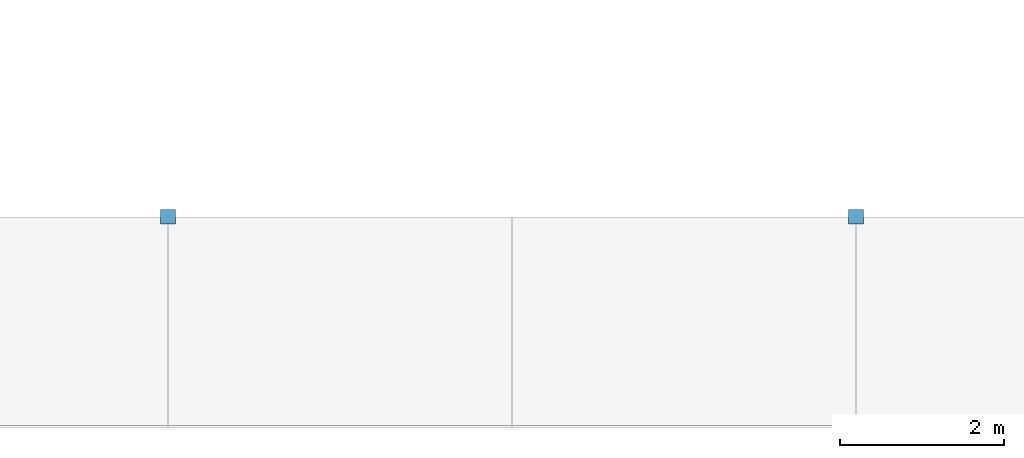
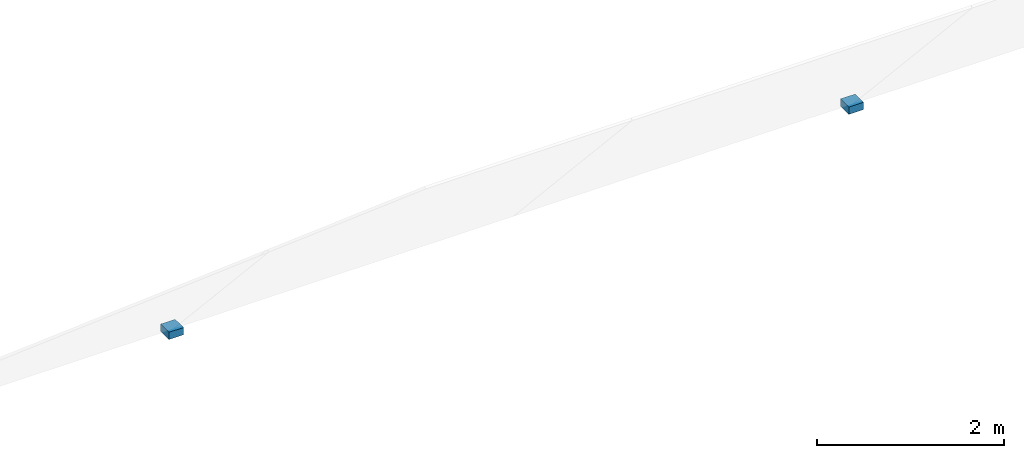
# One storey, part 80 of 122: 2 discrete accessories.
"""IFC4 building model written with IfcOpenShell, lengths in metres."""

from ifc_helpers import new_model, si_unit, direction, frame, origin, origin_2d, place, context, subcontext, project, spatial, rectangle, extrude, material, type_object, element, save


model = new_model("IFC4")

# Units and contexts
model_context = context("Model", 3, precision=1e-05, world=origin(), true_north=direction((0.0, 1.0)))
body_context = subcontext(model_context, "Body", "Model", "MODEL_VIEW")
ifc_project = project(units=[si_unit("LENGTHUNIT", "METRE"), si_unit("AREAUNIT", "SQUARE_METRE"), si_unit("VOLUMEUNIT", "CUBIC_METRE"), si_unit("PLANEANGLEUNIT", "RADIAN"), si_unit("MASSUNIT", "GRAM", prefix="KILO")], contexts=[model_context])

# Site, building, storey
site_placement = place(None, origin())
site = spatial("IfcSite", under=ifc_project, at=site_placement, CompositionType="ELEMENT")
building_placement = place(site_placement, origin())
building = spatial("IfcBuilding", under=site, at=building_placement, Name="Telukmera Botanical Conservatory", CompositionType="ELEMENT")
storey_placement = place(building_placement, frame((0.0, 0.0, 10.199951171875)))
storey = spatial("IfcBuildingStorey", under=building, at=storey_placement, Name="L02", CompositionType="ELEMENT", Elevation=10.199951171875)

# Discrete accessories
ifc_material = material(Name="Steel S355", Category="steel")
discrete_accessory_type = type_object("IfcDiscreteAccessoryType", Name="Structural Steel Gridshell Glazing Shoe Bracket", PredefinedType="BRACKET", material=ifc_material)
for number, where, z_axis, x_axis, name in (
    (1, (126.0, 43.10009765625, 3.365234375), (0.0, 0.0, 1.0), (1.0, 0.0, 0.0), "Conservatory Node Glazing Spider Bracket 02-10"),
    (2, (134.39990234375, 43.10009765625, 3.365234375), (0.0, 0.0, 1.0), (1.0, 0.0, 0.0), "Conservatory Node Glazing Spider Bracket 04-10"),
):
    element("IfcDiscreteAccessory", number, at=place(storey_placement, frame(where, z_axis=z_axis, x_axis=x_axis)), inside=storey, type_object=discrete_accessory_type, Name=name, PredefinedType="BRACKET", context=body_context, shape_type="SweptSolid", body=[
        extrude(rectangle(XDim=0.179931640625, YDim=0.179931640625, at=origin_2d()), origin(), (0.0, 0.0, 1.0), 0.094970703125),
    ])

save(model, "model.ifc")
